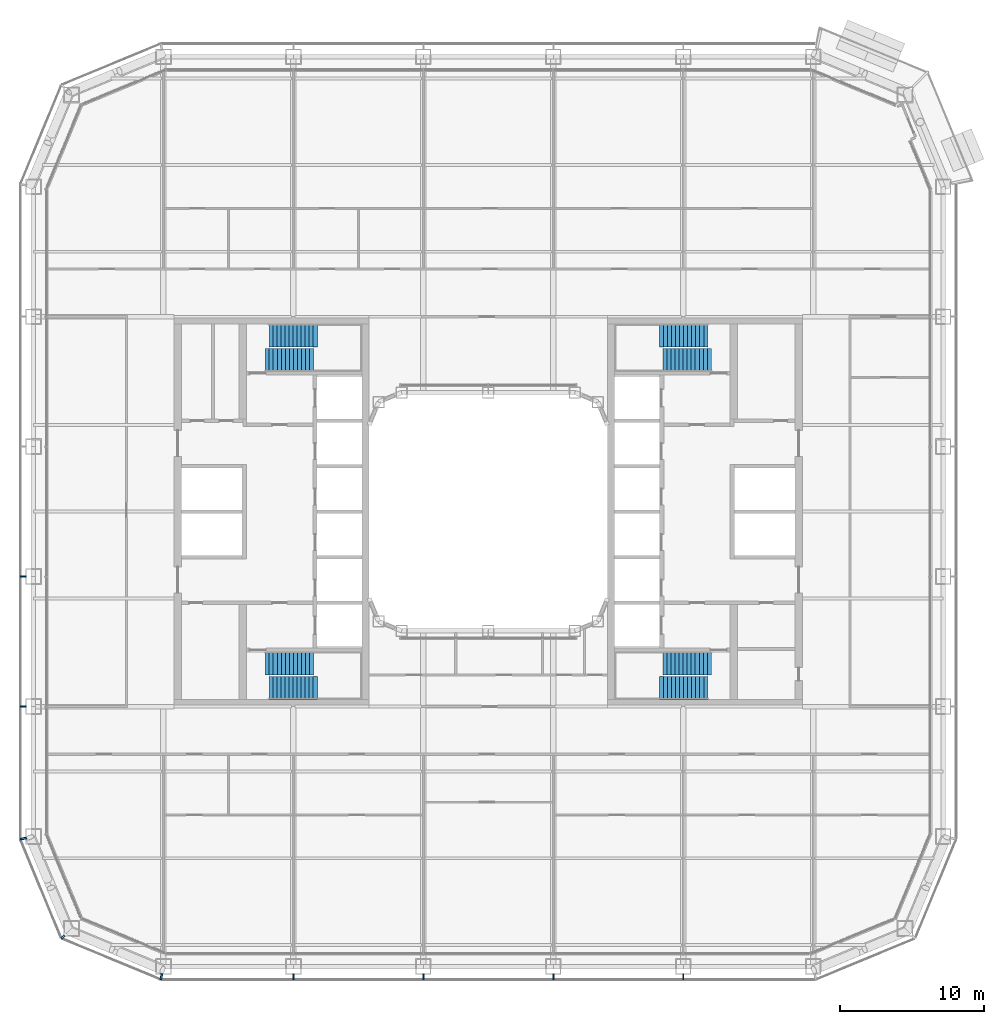
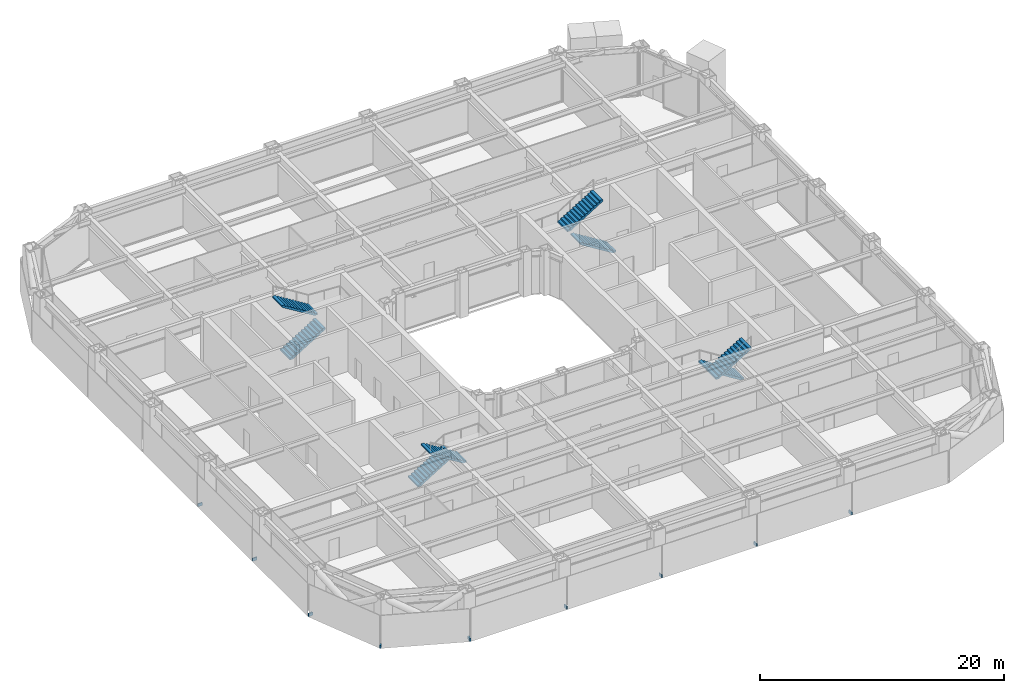
# One storey, part 17 of 30: 9 discrete accessories, 8 stair flights, 4 elements without a shape of their own.
"""IFC4 building model written with IfcOpenShell, lengths in metres."""

from ifc_helpers import new_model, si_unit, direction, frame, origin, origin_2d, place, context, subcontext, project, spatial, polyline, rectangle, outline, extrude, material, type_object, element, aggregate, save


model = new_model("IFC4")

# Units and contexts
model_context = context("Model", 3, precision=1e-05, world=origin(), true_north=direction((0.0, 1.0)))
body_context = subcontext(model_context, "Body", "Model", "MODEL_VIEW")
ifc_project = project(units=[si_unit("LENGTHUNIT", "METRE"), si_unit("AREAUNIT", "SQUARE_METRE"), si_unit("VOLUMEUNIT", "CUBIC_METRE"), si_unit("PLANEANGLEUNIT", "RADIAN"), si_unit("MASSUNIT", "GRAM", prefix="KILO")], contexts=[model_context])

# Site, building, storey
site_placement = place(None, origin())
site = spatial("IfcSite", under=ifc_project, at=site_placement, CompositionType="ELEMENT")
building_placement = place(site_placement, origin())
building = spatial("IfcBuilding", under=site, at=building_placement, Name="Siwar Civic Tower", CompositionType="ELEMENT")
storey_placement = place(building_placement, frame((0.0, 0.0, 44.699951171875)))
storey = spatial("IfcBuildingStorey", under=building, at=storey_placement, Name="L09", CompositionType="ELEMENT", Elevation=44.699951171875)

# Stair, stair flights
ifc_material_1 = material(Name="Concrete C40/50", Category="concrete")
stair_type = type_object("IfcStairType", Name="CORE-STAIR", PredefinedType="TWO_STRAIGHT_RUN_STAIR", material=ifc_material_1)
stair_1_placement = place(storey_placement, origin())
stair_1 = element("IfcStair", 1, at=stair_1_placement, inside=storey, type_object=stair_type, Name="Exit stair ST1", PredefinedType="TWO_STRAIGHT_RUN_STAIR")
ifc_material_2 = material(Name="Concrete C40/50", Category="concrete")
stair_flight_type = type_object("IfcStairFlightType", Name="CORE-STAIR-FLIGHT", PredefinedType="STRAIGHT", material=ifc_material_2)
stair_flight_1_placement = place(storey_placement, frame((-15.449951171875, 10.5, 0.0), z_axis=(0.0, 0.0, 1.0), x_axis=(1.0, 0.0, 0.0)))
stair_flight_1 = element("IfcStairFlight", 2, at=stair_flight_1_placement, type_object=stair_flight_type, Name="ST1 flight 1", NumberOfRisers=13, NumberOfTreads=12, PredefinedType="STRAIGHT", RiserHeight=0.173076923, TreadLength=0.28, context=body_context, shape_type="SweptSolid", body=[
    extrude(outline(polyline([(0.0, 0.0), (0.0, 0.173095703125), (0.280029296875, 0.173095703125), (0.280029296875, 0.34619140625), (0.56005859375, 0.34619140625), (0.56005859375, 0.519287109375), (0.840087890625, 0.519287109375), (0.840087890625, 0.6923828125), (1.1201171875, 0.6923828125), (1.1201171875, 0.865478515625), (1.39990234375, 0.865478515625), (1.39990234375, 1.03857421875), (1.679931640625, 1.03857421875), (1.679931640625, 1.21142578125), (1.9599609375, 1.21142578125), (1.9599609375, 1.384521484375), (2.239990234375, 1.384521484375), (2.239990234375, 1.5576171875), (2.52001953125, 1.5576171875), (2.52001953125, 1.730712890625), (2.800048828125, 1.730712890625), (2.800048828125, 1.90380859375), (3.080078125, 1.90380859375), (3.080078125, 2.076904296875), (3.360107421875, 2.076904296875), (3.360107421875, 2.25), (3.360107421875, 1.900634765625), (0.28515625, 0.0), (0.0, 0.0)])), frame((0.0, 0.800048828125, 0.0), z_axis=(0.0, -1.0, 0.0), x_axis=(1.0, 0.0, 0.0)), (0.0, 0.0, 1.0), 1.60009765625),
])
stair_flight_2_placement = place(storey_placement, frame((-11.840087890625, 12.199951171875, 2.25), z_axis=(0.0, 0.0, 1.0), x_axis=(-1.0, 0.0, 0.0)))
stair_flight_2 = element("IfcStairFlight", 3, at=stair_flight_2_placement, type_object=stair_flight_type, Name="ST1 flight 2", NumberOfRisers=13, NumberOfTreads=12, PredefinedType="STRAIGHT", RiserHeight=0.173076923, TreadLength=0.28, context=body_context, shape_type="SweptSolid", body=[
    extrude(outline(polyline([(0.0, 0.0), (0.0, 0.173095703125), (0.280029296875, 0.173095703125), (0.280029296875, 0.34619140625), (0.56005859375, 0.34619140625), (0.56005859375, 0.519287109375), (0.840087890625, 0.519287109375), (0.840087890625, 0.6923828125), (1.1201171875, 0.6923828125), (1.1201171875, 0.865478515625), (1.39990234375, 0.865478515625), (1.39990234375, 1.03857421875), (1.679931640625, 1.03857421875), (1.679931640625, 1.21142578125), (1.9599609375, 1.21142578125), (1.9599609375, 1.384521484375), (2.239990234375, 1.384521484375), (2.239990234375, 1.5576171875), (2.52001953125, 1.5576171875), (2.52001953125, 1.730712890625), (2.800048828125, 1.730712890625), (2.800048828125, 1.90380859375), (3.080078125, 1.90380859375), (3.080078125, 2.076904296875), (3.360107421875, 2.076904296875), (3.360107421875, 2.25), (3.360107421875, 1.900634765625), (0.28515625, 0.0), (0.0, 0.0)])), frame((0.0, 0.800048828125, 0.0), z_axis=(0.0, -1.0, 0.0), x_axis=(1.0, 0.0, 0.0)), (0.0, 0.0, 1.0), 1.60009765625),
])
aggregate(stair_1, [stair_flight_1, stair_flight_2])

stair_2_placement = place(storey_placement, origin())
stair_2 = element("IfcStair", 4, at=stair_2_placement, inside=storey, type_object=stair_type, Name="Exit stair ST2", PredefinedType="TWO_STRAIGHT_RUN_STAIR")
stair_flight_3_placement = place(storey_placement, frame((-15.449951171875, -10.5, 0.0), z_axis=(0.0, 0.0, 1.0), x_axis=(1.0, 0.0, 0.0)))
stair_flight_3 = element("IfcStairFlight", 5, at=stair_flight_3_placement, type_object=stair_flight_type, Name="ST2 flight 1", NumberOfRisers=13, NumberOfTreads=12, PredefinedType="STRAIGHT", RiserHeight=0.173076923, TreadLength=0.28, context=body_context, shape_type="SweptSolid", body=[
    extrude(outline(polyline([(0.0, 0.0), (0.0, 0.173095703125), (0.280029296875, 0.173095703125), (0.280029296875, 0.34619140625), (0.56005859375, 0.34619140625), (0.56005859375, 0.519287109375), (0.840087890625, 0.519287109375), (0.840087890625, 0.6923828125), (1.1201171875, 0.6923828125), (1.1201171875, 0.865478515625), (1.39990234375, 0.865478515625), (1.39990234375, 1.03857421875), (1.679931640625, 1.03857421875), (1.679931640625, 1.21142578125), (1.9599609375, 1.21142578125), (1.9599609375, 1.384521484375), (2.239990234375, 1.384521484375), (2.239990234375, 1.5576171875), (2.52001953125, 1.5576171875), (2.52001953125, 1.730712890625), (2.800048828125, 1.730712890625), (2.800048828125, 1.90380859375), (3.080078125, 1.90380859375), (3.080078125, 2.076904296875), (3.360107421875, 2.076904296875), (3.360107421875, 2.25), (3.360107421875, 1.900634765625), (0.28515625, 0.0), (0.0, 0.0)])), frame((0.0, 0.800048828125, 0.0), z_axis=(0.0, -1.0, 0.0), x_axis=(1.0, 0.0, 0.0)), (0.0, 0.0, 1.0), 1.60009765625),
])
stair_flight_4_placement = place(storey_placement, frame((-11.840087890625, -12.199951171875, 2.25), z_axis=(0.0, 0.0, 1.0), x_axis=(-1.0, 0.0, 0.0)))
stair_flight_4 = element("IfcStairFlight", 6, at=stair_flight_4_placement, type_object=stair_flight_type, Name="ST2 flight 2", NumberOfRisers=13, NumberOfTreads=12, PredefinedType="STRAIGHT", RiserHeight=0.173076923, TreadLength=0.28, context=body_context, shape_type="SweptSolid", body=[
    extrude(outline(polyline([(0.0, 0.0), (0.0, 0.173095703125), (0.280029296875, 0.173095703125), (0.280029296875, 0.34619140625), (0.56005859375, 0.34619140625), (0.56005859375, 0.519287109375), (0.840087890625, 0.519287109375), (0.840087890625, 0.6923828125), (1.1201171875, 0.6923828125), (1.1201171875, 0.865478515625), (1.39990234375, 0.865478515625), (1.39990234375, 1.03857421875), (1.679931640625, 1.03857421875), (1.679931640625, 1.21142578125), (1.9599609375, 1.21142578125), (1.9599609375, 1.384521484375), (2.239990234375, 1.384521484375), (2.239990234375, 1.5576171875), (2.52001953125, 1.5576171875), (2.52001953125, 1.730712890625), (2.800048828125, 1.730712890625), (2.800048828125, 1.90380859375), (3.080078125, 1.90380859375), (3.080078125, 2.076904296875), (3.360107421875, 2.076904296875), (3.360107421875, 2.25), (3.360107421875, 1.900634765625), (0.28515625, 0.0), (0.0, 0.0)])), frame((0.0, 0.800048828125, 0.0), z_axis=(0.0, -1.0, 0.0), x_axis=(1.0, 0.0, 0.0)), (0.0, 0.0, 1.0), 1.60009765625),
])
aggregate(stair_2, [stair_flight_3, stair_flight_4])

stair_3_placement = place(storey_placement, origin())
stair_3 = element("IfcStair", 7, at=stair_3_placement, inside=storey, type_object=stair_type, Name="Exit stair ST3", PredefinedType="TWO_STRAIGHT_RUN_STAIR")
stair_flight_5_placement = place(storey_placement, frame((15.449951171875, 10.5, 0.0), z_axis=(0.0, 0.0, 1.0), x_axis=(-1.0, 0.0, 0.0)))
stair_flight_5 = element("IfcStairFlight", 8, at=stair_flight_5_placement, type_object=stair_flight_type, Name="ST3 flight 1", NumberOfRisers=13, NumberOfTreads=12, PredefinedType="STRAIGHT", RiserHeight=0.173076923, TreadLength=0.28, context=body_context, shape_type="SweptSolid", body=[
    extrude(outline(polyline([(0.0, 0.0), (0.0, 0.173095703125), (0.280029296875, 0.173095703125), (0.280029296875, 0.34619140625), (0.56005859375, 0.34619140625), (0.56005859375, 0.519287109375), (0.840087890625, 0.519287109375), (0.840087890625, 0.6923828125), (1.1201171875, 0.6923828125), (1.1201171875, 0.865478515625), (1.39990234375, 0.865478515625), (1.39990234375, 1.03857421875), (1.679931640625, 1.03857421875), (1.679931640625, 1.21142578125), (1.9599609375, 1.21142578125), (1.9599609375, 1.384521484375), (2.239990234375, 1.384521484375), (2.239990234375, 1.5576171875), (2.52001953125, 1.5576171875), (2.52001953125, 1.730712890625), (2.800048828125, 1.730712890625), (2.800048828125, 1.90380859375), (3.080078125, 1.90380859375), (3.080078125, 2.076904296875), (3.360107421875, 2.076904296875), (3.360107421875, 2.25), (3.360107421875, 1.900634765625), (0.28515625, 0.0), (0.0, 0.0)])), frame((0.0, 0.800048828125, 0.0), z_axis=(0.0, -1.0, 0.0), x_axis=(1.0, 0.0, 0.0)), (0.0, 0.0, 1.0), 1.60009765625),
])
stair_flight_6_placement = place(storey_placement, frame((11.840087890625, 12.199951171875, 2.25), z_axis=(0.0, 0.0, 1.0), x_axis=(1.0, 0.0, 0.0)))
stair_flight_6 = element("IfcStairFlight", 9, at=stair_flight_6_placement, type_object=stair_flight_type, Name="ST3 flight 2", NumberOfRisers=13, NumberOfTreads=12, PredefinedType="STRAIGHT", RiserHeight=0.173076923, TreadLength=0.28, context=body_context, shape_type="SweptSolid", body=[
    extrude(outline(polyline([(0.0, 0.0), (0.0, 0.173095703125), (0.280029296875, 0.173095703125), (0.280029296875, 0.34619140625), (0.56005859375, 0.34619140625), (0.56005859375, 0.519287109375), (0.840087890625, 0.519287109375), (0.840087890625, 0.6923828125), (1.1201171875, 0.6923828125), (1.1201171875, 0.865478515625), (1.39990234375, 0.865478515625), (1.39990234375, 1.03857421875), (1.679931640625, 1.03857421875), (1.679931640625, 1.21142578125), (1.9599609375, 1.21142578125), (1.9599609375, 1.384521484375), (2.239990234375, 1.384521484375), (2.239990234375, 1.5576171875), (2.52001953125, 1.5576171875), (2.52001953125, 1.730712890625), (2.800048828125, 1.730712890625), (2.800048828125, 1.90380859375), (3.080078125, 1.90380859375), (3.080078125, 2.076904296875), (3.360107421875, 2.076904296875), (3.360107421875, 2.25), (3.360107421875, 1.900634765625), (0.28515625, 0.0), (0.0, 0.0)])), frame((0.0, 0.800048828125, 0.0), z_axis=(0.0, -1.0, 0.0), x_axis=(1.0, 0.0, 0.0)), (0.0, 0.0, 1.0), 1.60009765625),
])
aggregate(stair_3, [stair_flight_5, stair_flight_6])

stair_4_placement = place(storey_placement, origin())
stair_4 = element("IfcStair", 10, at=stair_4_placement, inside=storey, type_object=stair_type, Name="Exit stair ST4", PredefinedType="TWO_STRAIGHT_RUN_STAIR")
stair_flight_7_placement = place(storey_placement, frame((15.449951171875, -10.5, 0.0), z_axis=(0.0, 0.0, 1.0), x_axis=(-1.0, 0.0, 0.0)))
stair_flight_7 = element("IfcStairFlight", 11, at=stair_flight_7_placement, type_object=stair_flight_type, Name="ST4 flight 1", NumberOfRisers=13, NumberOfTreads=12, PredefinedType="STRAIGHT", RiserHeight=0.173076923, TreadLength=0.28, context=body_context, shape_type="SweptSolid", body=[
    extrude(outline(polyline([(0.0, 0.0), (0.0, 0.173095703125), (0.280029296875, 0.173095703125), (0.280029296875, 0.34619140625), (0.56005859375, 0.34619140625), (0.56005859375, 0.519287109375), (0.840087890625, 0.519287109375), (0.840087890625, 0.6923828125), (1.1201171875, 0.6923828125), (1.1201171875, 0.865478515625), (1.39990234375, 0.865478515625), (1.39990234375, 1.03857421875), (1.679931640625, 1.03857421875), (1.679931640625, 1.21142578125), (1.9599609375, 1.21142578125), (1.9599609375, 1.384521484375), (2.239990234375, 1.384521484375), (2.239990234375, 1.5576171875), (2.52001953125, 1.5576171875), (2.52001953125, 1.730712890625), (2.800048828125, 1.730712890625), (2.800048828125, 1.90380859375), (3.080078125, 1.90380859375), (3.080078125, 2.076904296875), (3.360107421875, 2.076904296875), (3.360107421875, 2.25), (3.360107421875, 1.900634765625), (0.28515625, 0.0), (0.0, 0.0)])), frame((0.0, 0.800048828125, 0.0), z_axis=(0.0, -1.0, 0.0), x_axis=(1.0, 0.0, 0.0)), (0.0, 0.0, 1.0), 1.60009765625),
])
stair_flight_8_placement = place(storey_placement, frame((11.840087890625, -12.199951171875, 2.25), z_axis=(0.0, 0.0, 1.0), x_axis=(1.0, 0.0, 0.0)))
stair_flight_8 = element("IfcStairFlight", 12, at=stair_flight_8_placement, type_object=stair_flight_type, Name="ST4 flight 2", NumberOfRisers=13, NumberOfTreads=12, PredefinedType="STRAIGHT", RiserHeight=0.173076923, TreadLength=0.28, context=body_context, shape_type="SweptSolid", body=[
    extrude(outline(polyline([(0.0, 0.0), (0.0, 0.173095703125), (0.280029296875, 0.173095703125), (0.280029296875, 0.34619140625), (0.56005859375, 0.34619140625), (0.56005859375, 0.519287109375), (0.840087890625, 0.519287109375), (0.840087890625, 0.6923828125), (1.1201171875, 0.6923828125), (1.1201171875, 0.865478515625), (1.39990234375, 0.865478515625), (1.39990234375, 1.03857421875), (1.679931640625, 1.03857421875), (1.679931640625, 1.21142578125), (1.9599609375, 1.21142578125), (1.9599609375, 1.384521484375), (2.239990234375, 1.384521484375), (2.239990234375, 1.5576171875), (2.52001953125, 1.5576171875), (2.52001953125, 1.730712890625), (2.800048828125, 1.730712890625), (2.800048828125, 1.90380859375), (3.080078125, 1.90380859375), (3.080078125, 2.076904296875), (3.360107421875, 2.076904296875), (3.360107421875, 2.25), (3.360107421875, 1.900634765625), (0.28515625, 0.0), (0.0, 0.0)])), frame((0.0, 0.800048828125, 0.0), z_axis=(0.0, -1.0, 0.0), x_axis=(1.0, 0.0, 0.0)), (0.0, 0.0, 1.0), 1.60009765625),
])
aggregate(stair_4, [stair_flight_7, stair_flight_8])

# Discrete accessories
ifc_material_3 = material(Name="Stainless steel 316", Category="steel")
discrete_accessory_type = type_object("IfcDiscreteAccessoryType", Name="ENV-BRACKET", PredefinedType="BRACKET", material=ifc_material_3)
for number, where, z_axis, x_axis, name in (
    (13, (-13.5, -32.18994140625, -0.14990234375), (0.0, 0.0, 1.0), (0.0, -1.0, 0.0), "Bracket outer skin joint S-01"),
    (14, (-4.5, -32.18994140625, -0.14990234375), (0.0, 0.0, 1.0), (0.0, -1.0, 0.0), "Bracket outer skin joint S-02"),
    (15, (4.5, -32.18994140625, -0.14990234375), (0.0, 0.0, 1.0), (0.0, -1.0, 0.0), "Bracket outer skin joint S-03"),
    (16, (13.5, -32.18994140625, -0.14990234375), (0.0, 0.0, 1.0), (0.0, -1.0, 0.0), "Bracket outer skin joint S-04"),
):
    element("IfcDiscreteAccessory", number, at=place(storey_placement, frame(where, z_axis=z_axis, x_axis=x_axis)), inside=storey, type_object=discrete_accessory_type, Name=name, PredefinedType="BRACKET", context=body_context, shape_type="SweptSolid", body=[
        extrude(rectangle(XDim=0.419921875, YDim=0.10009765625, at=origin_2d()), origin(), (0.0, 0.0, 1.0), 0.300048828125),
    ])
for number, where, z_axis, x_axis, name in (
    (17, (-22.63720703125, -32.190185546875, -0.14990234375), (0.0, 0.0, 1.0), (-0.195090322016, -0.980785280403, 0.0), "Bracket outer skin joint V00"),
    (18, (-32.190185546875, -22.63720703125, -0.14990234375), (0.0, 0.0, 1.0), (-0.980785280403, -0.195090322016, 0.0), "Bracket outer skin joint V10"),
):
    element("IfcDiscreteAccessory", number, at=place(storey_placement, frame(where, z_axis=z_axis, x_axis=x_axis)), inside=storey, type_object=discrete_accessory_type, Name=name, PredefinedType="BRACKET", context=body_context, shape_type="SweptSolid", body=[
        extrude(rectangle(XDim=0.427734375, YDim=0.13720703125, at=origin_2d()), origin(), (0.0, 0.0, 1.0), 0.300048828125),
    ])
discrete_accessory_placement = place(storey_placement, frame((-29.451416015625, -29.451416015625, -0.14990234375), z_axis=(0.0, 0.0, 1.0), x_axis=(-0.707106781187, -0.707106781187, 0.0)))
element("IfcDiscreteAccessory", 19, at=discrete_accessory_placement, inside=storey, type_object=discrete_accessory_type, Name="Bracket outer skin joint V11", PredefinedType="BRACKET", context=body_context, shape_type="SweptSolid", body=[
    extrude(rectangle(XDim=0.287109375, YDim=0.12939453125, at=origin_2d()), origin(), (0.0, 0.0, 1.0), 0.300048828125),
])
for number, where, z_axis, x_axis, name in (
    (20, (-32.18994140625, -4.5, -0.14990234375), (0.0, 0.0, 1.0), (-1.0, 0.0, 0.0), "Bracket outer skin joint W-03"),
    (21, (-32.18994140625, -13.5, -0.14990234375), (0.0, 0.0, 1.0), (-1.0, 0.0, 0.0), "Bracket outer skin joint W-04"),
):
    element("IfcDiscreteAccessory", number, at=place(storey_placement, frame(where, z_axis=z_axis, x_axis=x_axis)), inside=storey, type_object=discrete_accessory_type, Name=name, PredefinedType="BRACKET", context=body_context, shape_type="SweptSolid", body=[
        extrude(rectangle(XDim=0.419921875, YDim=0.10009765625, at=origin_2d()), origin(), (0.0, 0.0, 1.0), 0.300048828125),
    ])

save(model, "model.ifc")
